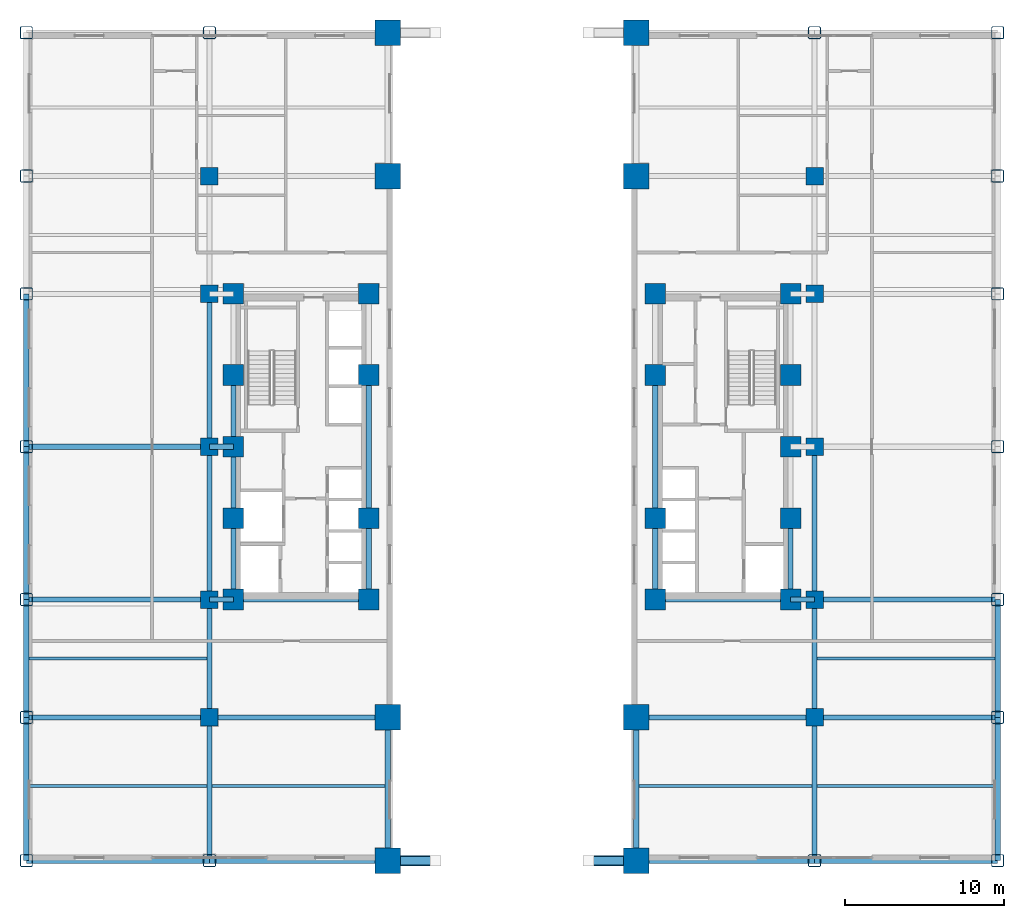
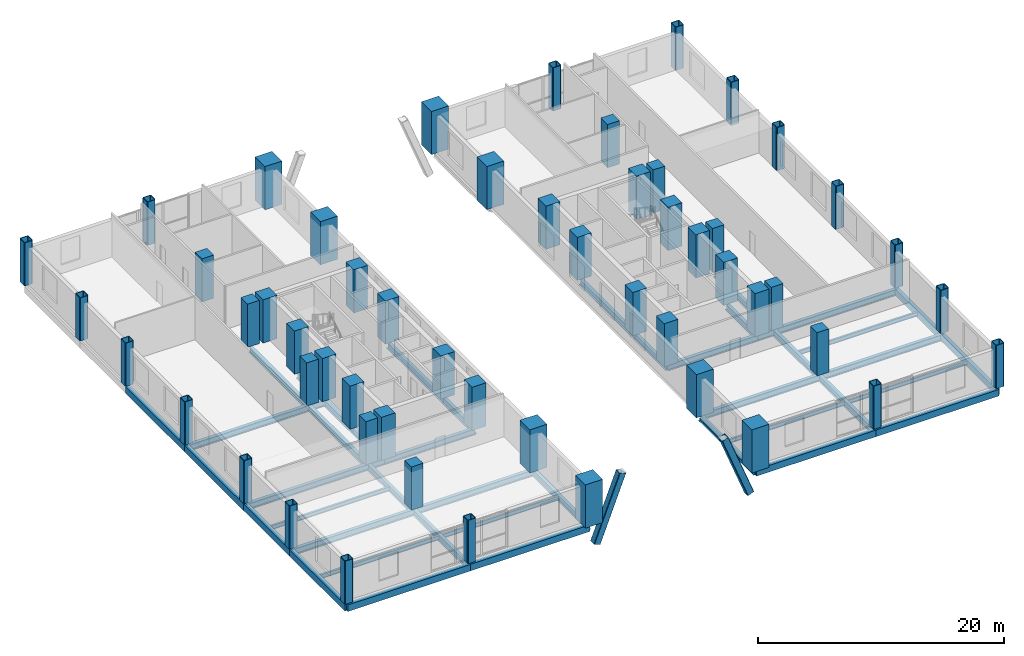
# One storey, part 1 of 15: 54 columns, 47 beams.
"""IFC4 building model written with IfcOpenShell, lengths in metres."""

from ifc_helpers import new_model, si_unit, direction, frame, origin, origin_2d, place, context, subcontext, project, spatial, rectangle, hollow_rectangle, i_section, extrude, material, material_profile, profile_set, type_object, element, save


model = new_model("IFC4")

# Units and contexts
model_context = context("Model", 3, precision=1e-05, world=origin(), true_north=direction((0.0, 1.0)))
body_context = subcontext(model_context, "Body", "Model", "MODEL_VIEW")
ifc_project = project(units=[si_unit("LENGTHUNIT", "METRE"), si_unit("AREAUNIT", "SQUARE_METRE"), si_unit("VOLUMEUNIT", "CUBIC_METRE"), si_unit("PLANEANGLEUNIT", "RADIAN"), si_unit("MASSUNIT", "GRAM", prefix="KILO")], contexts=[model_context])

# Site, building, storey
site_placement = place(None, origin())
site = spatial("IfcSite", under=ifc_project, at=site_placement, CompositionType="ELEMENT")
building_placement = place(site_placement, origin())
building = spatial("IfcBuilding", under=site, at=building_placement, Name="Nuvemarco Arch Tower", CompositionType="ELEMENT")
storey_placement = place(building_placement, frame((0.0, 0.0, 9.199951171875)))
storey = spatial("IfcBuildingStorey", under=building, at=storey_placement, Name="L02", CompositionType="ELEMENT", Elevation=9.199951171875)

# Columns
ifc_material_1 = material(Name="Concrete C60/75", Category="concrete")
ifc_material_profile_1 = material_profile(ifc_material_1, rectangle(XDim=1.10009765625, YDim=1.10009765625, at=origin_2d()), Name="RC-COL-1100x1100")
ifc_profile_set_1 = profile_set([ifc_material_profile_1], Name="Concrete C60/75")
column_type_1 = type_object("IfcColumnType", Name="COL-CORE-1100", PredefinedType="COLUMN", material=ifc_profile_set_1)
for number, where, z_axis, x_axis, name in (
    (1, (-19.0, -17.0, 0.0), (0.0, 0.0, 1.0), (1.0, 0.0, 0.0), "L02 column CP_-19.0_-17.0"),
    (2, (-19.0, -9.60009765625, 0.0), (0.0, 0.0, 1.0), (1.0, 0.0, 0.0), "L02 column CP_-19.0_-9.6"),
    (3, (-19.0, 0.0, 0.0), (0.0, 0.0, 1.0), (1.0, 0.0, 0.0), "L02 column CP_-19.0_+0.0"),
    (4, (-19.0, 9.60009765625, 0.0), (0.0, 0.0, 1.0), (1.0, 0.0, 0.0), "L02 column CP_-19.0_+9.6"),
    (5, (-19.0, 17.0, 0.0), (0.0, 0.0, 1.0), (1.0, 0.0, 0.0), "L02 column CP_-19.0_+17.0"),
    (6, (19.0, -17.0, 0.0), (0.0, 0.0, 1.0), (1.0, 0.0, 0.0), "L02 column CP_+19.0_-17.0"),
    (7, (19.0, -9.60009765625, 0.0), (0.0, 0.0, 1.0), (1.0, 0.0, 0.0), "L02 column CP_+19.0_-9.6"),
    (8, (19.0, 0.0, 0.0), (0.0, 0.0, 1.0), (1.0, 0.0, 0.0), "L02 column CP_+19.0_+0.0"),
    (9, (19.0, 9.60009765625, 0.0), (0.0, 0.0, 1.0), (1.0, 0.0, 0.0), "L02 column CP_+19.0_+9.6"),
    (10, (19.0, 17.0, 0.0), (0.0, 0.0, 1.0), (1.0, 0.0, 0.0), "L02 column CP_+19.0_+17.0"),
):
    element("IfcColumn", number, at=place(storey_placement, frame(where, z_axis=z_axis, x_axis=x_axis)), inside=storey, type_object=column_type_1, Name=name, PredefinedType="COLUMN", context=body_context, shape_type="SweptSolid", body=[
        extrude(rectangle(XDim=1.10009765625, YDim=1.10009765625, at=origin_2d()), origin(), (0.0, 0.0, 1.0), 4.280029296875),
    ])
ifc_material_profile_2 = material_profile(ifc_material_1, rectangle(XDim=1.300048828125, YDim=1.300048828125, at=origin_2d()), Name="RC-COL-1300x1300")
ifc_profile_set_2 = profile_set([ifc_material_profile_2], Name="Concrete C60/75")
column_type_2 = type_object("IfcColumnType", Name="COL-CORE-1300", PredefinedType="COLUMN", material=ifc_profile_set_2)
for number, where, z_axis, x_axis, name in (
    (11, (-17.5, -9.60009765625, 0.0), (0.0, 0.0, 1.0), (1.0, 0.0, 0.0), "L02 column CC_-17.5_-9.6"),
    (12, (-17.5, -4.5, 0.0), (0.0, 0.0, 1.0), (1.0, 0.0, 0.0), "L02 column CC_-17.5_-4.5"),
    (13, (-17.5, 4.5, 0.0), (0.0, 0.0, 1.0), (1.0, 0.0, 0.0), "L02 column CC_-17.5_+4.5"),
    (14, (-17.5, 9.60009765625, 0.0), (0.0, 0.0, 1.0), (1.0, 0.0, 0.0), "L02 column CC_-17.5_+9.6"),
    (15, (-9.0, -9.60009765625, 0.0), (0.0, 0.0, 1.0), (1.0, 0.0, 0.0), "L02 column CC_-9.0_-9.6"),
    (16, (-9.0, -4.5, 0.0), (0.0, 0.0, 1.0), (1.0, 0.0, 0.0), "L02 column CC_-9.0_-4.5"),
    (17, (-9.0, 4.5, 0.0), (0.0, 0.0, 1.0), (1.0, 0.0, 0.0), "L02 column CC_-9.0_+4.5"),
    (18, (-9.0, 9.60009765625, 0.0), (0.0, 0.0, 1.0), (1.0, 0.0, 0.0), "L02 column CC_-9.0_+9.6"),
    (19, (9.0, -9.60009765625, 0.0), (0.0, 0.0, 1.0), (1.0, 0.0, 0.0), "L02 column CC_+9.0_-9.6"),
    (20, (9.0, -4.5, 0.0), (0.0, 0.0, 1.0), (1.0, 0.0, 0.0), "L02 column CC_+9.0_-4.5"),
    (21, (9.0, 4.5, 0.0), (0.0, 0.0, 1.0), (1.0, 0.0, 0.0), "L02 column CC_+9.0_+4.5"),
    (22, (9.0, 9.60009765625, 0.0), (0.0, 0.0, 1.0), (1.0, 0.0, 0.0), "L02 column CC_+9.0_+9.6"),
    (23, (17.5, -9.60009765625, 0.0), (0.0, 0.0, 1.0), (1.0, 0.0, 0.0), "L02 column CC_+17.5_-9.6"),
    (24, (17.5, -4.5, 0.0), (0.0, 0.0, 1.0), (1.0, 0.0, 0.0), "L02 column CC_+17.5_-4.5"),
    (25, (17.5, 4.5, 0.0), (0.0, 0.0, 1.0), (1.0, 0.0, 0.0), "L02 column CC_+17.5_+4.5"),
    (26, (17.5, 9.60009765625, 0.0), (0.0, 0.0, 1.0), (1.0, 0.0, 0.0), "L02 column CC_+17.5_+9.6"),
    (27, (-17.5, 0.0, 0.0), (0.0, 0.0, 1.0), (1.0, 0.0, 0.0), "L02 column CC_-17.5_+0.0"),
    (28, (17.5, 0.0, 0.0), (0.0, 0.0, 1.0), (1.0, 0.0, 0.0), "L02 column CC_+17.5_+0.0"),
):
    element("IfcColumn", number, at=place(storey_placement, frame(where, z_axis=z_axis, x_axis=x_axis)), inside=storey, type_object=column_type_2, Name=name, PredefinedType="COLUMN", context=body_context, shape_type="SweptSolid", body=[
        extrude(rectangle(XDim=1.300048828125, YDim=1.300048828125, at=origin_2d()), origin(), (0.0, 0.0, 1.0), 4.280029296875),
    ])
ifc_material_2 = material(Name="Steel S460", Category="steel")
ifc_material_profile_3 = material_profile(ifc_material_2, hollow_rectangle(XDim=0.800048828125, YDim=0.800048828125, WallThickness=0.054931640625, InnerFilletRadius=0.054931640625, OuterFilletRadius=0.110107421875, at=origin_2d()), Name="SHS800x800x55")
ifc_profile_set_3 = profile_set([ifc_material_profile_3], Name="Steel S460")
column_type_3 = type_object("IfcColumnType", Name="COL-EXO-800", PredefinedType="COLUMN", material=ifc_profile_set_3)
for number, where, z_axis, x_axis, name in (
    (29, (-30.5, -26.0, 0.0), (0.0, 0.0, 1.0), (1.0, 0.0, 0.0), "L02 column CP_-30.5_-26.0"),
    (30, (-30.5, -17.0, 0.0), (0.0, 0.0, 1.0), (1.0, 0.0, 0.0), "L02 column CP_-30.5_-17.0"),
    (31, (-30.5, -9.60009765625, 0.0), (0.0, 0.0, 1.0), (1.0, 0.0, 0.0), "L02 column CP_-30.5_-9.6"),
    (32, (-30.5, 0.0, 0.0), (0.0, 0.0, 1.0), (1.0, 0.0, 0.0), "L02 column CP_-30.5_+0.0"),
    (33, (-30.5, 9.60009765625, 0.0), (0.0, 0.0, 1.0), (1.0, 0.0, 0.0), "L02 column CP_-30.5_+9.6"),
    (34, (-30.5, 17.0, 0.0), (0.0, 0.0, 1.0), (1.0, 0.0, 0.0), "L02 column CP_-30.5_+17.0"),
    (35, (-30.5, 26.0, 0.0), (0.0, 0.0, 1.0), (1.0, 0.0, 0.0), "L02 column CP_-30.5_+26.0"),
    (36, (-19.0, -26.0, 0.0), (0.0, 0.0, 1.0), (1.0, 0.0, 0.0), "L02 column CP_-19.0_-26.0"),
    (37, (-19.0, 26.0, 0.0), (0.0, 0.0, 1.0), (1.0, 0.0, 0.0), "L02 column CP_-19.0_+26.0"),
    (38, (19.0, -26.0, 0.0), (0.0, 0.0, 1.0), (1.0, 0.0, 0.0), "L02 column CP_+19.0_-26.0"),
    (39, (19.0, 26.0, 0.0), (0.0, 0.0, 1.0), (1.0, 0.0, 0.0), "L02 column CP_+19.0_+26.0"),
    (40, (30.5, -26.0, 0.0), (0.0, 0.0, 1.0), (1.0, 0.0, 0.0), "L02 column CP_+30.5_-26.0"),
    (41, (30.5, -17.0, 0.0), (0.0, 0.0, 1.0), (1.0, 0.0, 0.0), "L02 column CP_+30.5_-17.0"),
    (42, (30.5, -9.60009765625, 0.0), (0.0, 0.0, 1.0), (1.0, 0.0, 0.0), "L02 column CP_+30.5_-9.6"),
    (43, (30.5, 0.0, 0.0), (0.0, 0.0, 1.0), (1.0, 0.0, 0.0), "L02 column CP_+30.5_+0.0"),
    (44, (30.5, 9.60009765625, 0.0), (0.0, 0.0, 1.0), (1.0, 0.0, 0.0), "L02 column CP_+30.5_+9.6"),
    (45, (30.5, 17.0, 0.0), (0.0, 0.0, 1.0), (1.0, 0.0, 0.0), "L02 column CP_+30.5_+17.0"),
    (46, (30.5, 26.0, 0.0), (0.0, 0.0, 1.0), (1.0, 0.0, 0.0), "L02 column CP_+30.5_+26.0"),
):
    element("IfcColumn", number, at=place(storey_placement, frame(where, z_axis=z_axis, x_axis=x_axis)), inside=storey, type_object=column_type_3, Name=name, PredefinedType="COLUMN", context=body_context, shape_type="SweptSolid", body=[
        extrude(hollow_rectangle(XDim=0.800048828125, YDim=0.800048828125, WallThickness=0.054931640625, InnerFilletRadius=0.054931640625, OuterFilletRadius=0.110107421875, at=origin_2d()), origin(), (0.0, 0.0, 1.0), 4.280029296875),
    ])
ifc_material_profile_4 = material_profile(ifc_material_1, rectangle(XDim=1.60009765625, YDim=1.60009765625, at=origin_2d()), Name="RC-COL-1600x1600")
ifc_profile_set_4 = profile_set([ifc_material_profile_4], Name="Concrete C60/75")
column_type_4 = type_object("IfcColumnType", Name="COL-MEGA-1600-EXT", PredefinedType="COLUMN", material=ifc_profile_set_4)
for number, where, z_axis, x_axis, name in (
    (47, (-7.800048828125, -26.0, 0.0), (0.0, 0.0, 1.0), (1.0, 0.0, 0.0), "L02 column CM_-7.8_-26.0"),
    (48, (-7.800048828125, -17.0, 0.0), (0.0, 0.0, 1.0), (1.0, 0.0, 0.0), "L02 column CM_-7.8_-17.0"),
    (49, (-7.800048828125, 17.0, 0.0), (0.0, 0.0, 1.0), (1.0, 0.0, 0.0), "L02 column CM_-7.8_+17.0"),
    (50, (-7.800048828125, 26.0, 0.0), (0.0, 0.0, 1.0), (1.0, 0.0, 0.0), "L02 column CM_-7.8_+26.0"),
    (51, (7.800048828125, -26.0, 0.0), (0.0, 0.0, 1.0), (1.0, 0.0, 0.0), "L02 column CM_+7.8_-26.0"),
    (52, (7.800048828125, -17.0, 0.0), (0.0, 0.0, 1.0), (1.0, 0.0, 0.0), "L02 column CM_+7.8_-17.0"),
    (53, (7.800048828125, 17.0, 0.0), (0.0, 0.0, 1.0), (1.0, 0.0, 0.0), "L02 column CM_+7.8_+17.0"),
    (54, (7.800048828125, 26.0, 0.0), (0.0, 0.0, 1.0), (1.0, 0.0, 0.0), "L02 column CM_+7.8_+26.0"),
):
    element("IfcColumn", number, at=place(storey_placement, frame(where, z_axis=z_axis, x_axis=x_axis)), inside=storey, type_object=column_type_4, Name=name, PredefinedType="COLUMN", context=body_context, shape_type="SweptSolid", body=[
        extrude(rectangle(XDim=1.60009765625, YDim=1.60009765625, at=origin_2d()), origin(), (0.0, 0.0, 1.0), 4.280029296875),
    ])

# Beams
ifc_material_3 = material(Name="Steel S355", Category="steel")
ifc_material_profile_5 = material_profile(ifc_material_3, hollow_rectangle(XDim=0.64990234375, YDim=0.64990234375, WallThickness=0.0400390625, InnerFilletRadius=0.0400390625, OuterFilletRadius=0.080078125, at=origin_2d()), Name="SHS650x650x40")
ifc_profile_set_5 = profile_set([ifc_material_profile_5], Name="Steel S355")
beam_type_1 = type_object("IfcBeamType", Name="BM-ARCH-RIB", PredefinedType="BEAM", material=ifc_profile_set_5)
for number, where, z_axis, x_axis, name in (
    (55, (-7.199951171875, -26.0, -2.39990234375), (0.360983800249, 0.0, 0.932572086199), (0.0, 1.0, 0.0), "Monumental portal arch rib segment S-2"),
    (56, (4.800048828125, -26.0, 3.800048828125), (0.360983800249, 0.0, -0.932572086199), (0.0, 1.0, 0.0), "Monumental portal arch rib segment S-5"),
):
    element("IfcBeam", number, at=place(storey_placement, frame(where, z_axis=z_axis, x_axis=x_axis)), inside=storey, type_object=beam_type_1, Name=name, PredefinedType="BEAM", context=body_context, shape_type="SweptSolid", body=[
        extrude(hollow_rectangle(XDim=0.64990234375, YDim=0.64990234375, WallThickness=0.0400390625, InnerFilletRadius=0.0400390625, OuterFilletRadius=0.080078125, at=origin_2d()), origin(), (0.0, 0.0, 1.0), 6.648193359375),
    ])
ifc_material_profile_6 = material_profile(ifc_material_3, i_section(OverallWidth=0.324951171875, OverallDepth=0.615966796875, WebThickness=0.013916015625, FlangeThickness=0.021484375, FilletRadius=0.01611328125, at=origin_2d()), Name="W610x174")
ifc_profile_set_6 = profile_set([ifc_material_profile_6], Name="Steel S355")
beam_type_2 = type_object("IfcBeamType", Name="BM-GIRD-610H", PredefinedType="BEAM", material=ifc_profile_set_6)
beam_1_placement = place(storey_placement, frame((-19.0, -26.0, -0.6279296875), z_axis=(0.0, 1.0, 0.0), x_axis=(-1.0, 0.0, 0.0)))
element("IfcBeam", 57, at=beam_1_placement, inside=storey, type_object=beam_type_2, Name="L02 structural beam BGNS_L02_0_-19.0_-26.0", PredefinedType="BEAM", context=body_context, shape_type="SweptSolid", body=[
    extrude(i_section(OverallWidth=0.324951171875, OverallDepth=0.615966796875, WebThickness=0.013916015625, FlangeThickness=0.021484375, FilletRadius=0.01611328125, at=origin_2d()), origin(), (0.0, 0.0, 1.0), 9.0),
])
beam_2_placement = place(storey_placement, frame((-19.0, -17.0, -0.6279296875), z_axis=(0.0, 1.0, 0.0), x_axis=(-1.0, 0.0, 0.0)))
element("IfcBeam", 58, at=beam_2_placement, inside=storey, type_object=beam_type_2, Name="L02 structural beam BGNS_L02_0_-19.0_-17.0", PredefinedType="BEAM", context=body_context, shape_type="SweptSolid", body=[
    extrude(i_section(OverallWidth=0.324951171875, OverallDepth=0.615966796875, WebThickness=0.013916015625, FlangeThickness=0.021484375, FilletRadius=0.01611328125, at=origin_2d()), origin(), (0.0, 0.0, 1.0), 7.39990234375),
])
for number, where, z_axis, x_axis, name in (
    (59, (-19.0, -9.60009765625, -0.6279296875), (0.0, 1.0, 0.0), (-1.0, 0.0, 0.0), "L02 structural beam BGNS_L02_0_-19.0_-9.6"),
    (60, (-19.0, 0.0, -0.6279296875), (0.0, 1.0, 0.0), (-1.0, 0.0, 0.0), "L02 structural beam BGNS_L02_0_-19.0_+0.0"),
):
    element("IfcBeam", number, at=place(storey_placement, frame(where, z_axis=z_axis, x_axis=x_axis)), inside=storey, type_object=beam_type_2, Name=name, PredefinedType="BEAM", context=body_context, shape_type="SweptSolid", body=[
        extrude(i_section(OverallWidth=0.324951171875, OverallDepth=0.615966796875, WebThickness=0.013916015625, FlangeThickness=0.021484375, FilletRadius=0.01611328125, at=origin_2d()), origin(), (0.0, 0.0, 1.0), 9.60009765625),
    ])
beam_3_placement = place(storey_placement, frame((-17.5, -9.60009765625, -0.6279296875), z_axis=(0.0, 1.0, 0.0), x_axis=(-1.0, 0.0, 0.0)))
element("IfcBeam", 61, at=beam_3_placement, inside=storey, type_object=beam_type_2, Name="L02 structural beam BGNS_L02_0_-17.5_-9.6", PredefinedType="BEAM", context=body_context, shape_type="SweptSolid", body=[
    extrude(i_section(OverallWidth=0.324951171875, OverallDepth=0.615966796875, WebThickness=0.013916015625, FlangeThickness=0.021484375, FilletRadius=0.01611328125, at=origin_2d()), origin(), (0.0, 0.0, 1.0), 5.10009765625),
])
for number, where, z_axis, x_axis, name in (
    (62, (-17.5, -4.5, -0.6279296875), (0.0, 1.0, 0.0), (-1.0, 0.0, 0.0), "L02 structural beam BGNS_L02_0_-17.5_-4.5"),
    (63, (-17.5, 0.0, -0.6279296875), (0.0, 1.0, 0.0), (-1.0, 0.0, 0.0), "L02 structural beam BGNS_L02_0_-17.5_+0.0"),
):
    element("IfcBeam", number, at=place(storey_placement, frame(where, z_axis=z_axis, x_axis=x_axis)), inside=storey, type_object=beam_type_2, Name=name, PredefinedType="BEAM", context=body_context, shape_type="SweptSolid", body=[
        extrude(i_section(OverallWidth=0.324951171875, OverallDepth=0.615966796875, WebThickness=0.013916015625, FlangeThickness=0.021484375, FilletRadius=0.01611328125, at=origin_2d()), origin(), (0.0, 0.0, 1.0), 4.5),
    ])
beam_4_placement = place(storey_placement, frame((-9.0, -9.60009765625, -0.6279296875), z_axis=(0.0, 1.0, 0.0), x_axis=(-1.0, 0.0, 0.0)))
element("IfcBeam", 64, at=beam_4_placement, inside=storey, type_object=beam_type_2, Name="L02 structural beam BGNS_L02_0_-9.0_-9.6", PredefinedType="BEAM", context=body_context, shape_type="SweptSolid", body=[
    extrude(i_section(OverallWidth=0.324951171875, OverallDepth=0.615966796875, WebThickness=0.013916015625, FlangeThickness=0.021484375, FilletRadius=0.01611328125, at=origin_2d()), origin(), (0.0, 0.0, 1.0), 5.10009765625),
])
for number, where, z_axis, x_axis, name in (
    (65, (-9.0, -4.5, -0.6279296875), (0.0, 1.0, 0.0), (-1.0, 0.0, 0.0), "L02 structural beam BGNS_L02_0_-9.0_-4.5"),
    (66, (-7.800048828125, -26.0, -0.6279296875), (0.0, 1.0, 0.0), (-1.0, 0.0, 0.0), "L02 structural beam BGNS_L02_0_-7.8_-26.0"),
):
    element("IfcBeam", number, at=place(storey_placement, frame(where, z_axis=z_axis, x_axis=x_axis)), inside=storey, type_object=beam_type_2, Name=name, PredefinedType="BEAM", context=body_context, shape_type="SweptSolid", body=[
        extrude(i_section(OverallWidth=0.324951171875, OverallDepth=0.615966796875, WebThickness=0.013916015625, FlangeThickness=0.021484375, FilletRadius=0.01611328125, at=origin_2d()), origin(), (0.0, 0.0, 1.0), 9.0),
    ])
beam_5_placement = place(storey_placement, frame((-30.5, -17.0, -0.6279296875), z_axis=(1.0, 0.0, 0.0), x_axis=(0.0, 1.0, 0.0)))
element("IfcBeam", 67, at=beam_5_placement, inside=storey, type_object=beam_type_2, Name="L02 structural beam BGEW_L02_0_-17.0_-30.5", PredefinedType="BEAM", context=body_context, shape_type="SweptSolid", body=[
    extrude(i_section(OverallWidth=0.324951171875, OverallDepth=0.615966796875, WebThickness=0.013916015625, FlangeThickness=0.021484375, FilletRadius=0.01611328125, at=origin_2d()), origin(), (0.0, 0.0, 1.0), 11.5),
])
beam_6_placement = place(storey_placement, frame((-19.0, -17.0, -0.6279296875), z_axis=(1.0, 0.0, 0.0), x_axis=(0.0, 1.0, 0.0)))
element("IfcBeam", 68, at=beam_6_placement, inside=storey, type_object=beam_type_2, Name="L02 structural beam BGEW_L02_0_-17.0_-19.0", PredefinedType="BEAM", context=body_context, shape_type="SweptSolid", body=[
    extrude(i_section(OverallWidth=0.324951171875, OverallDepth=0.615966796875, WebThickness=0.013916015625, FlangeThickness=0.021484375, FilletRadius=0.01611328125, at=origin_2d()), origin(), (0.0, 0.0, 1.0), 11.199951171875),
])
beam_7_placement = place(storey_placement, frame((-30.5, -9.60009765625, -0.6279296875), z_axis=(1.0, 0.0, 0.0), x_axis=(0.0, 1.0, 0.0)))
element("IfcBeam", 69, at=beam_7_placement, inside=storey, type_object=beam_type_2, Name="L02 structural beam BGEW_L02_0_-9.6_-30.5", PredefinedType="BEAM", context=body_context, shape_type="SweptSolid", body=[
    extrude(i_section(OverallWidth=0.324951171875, OverallDepth=0.615966796875, WebThickness=0.013916015625, FlangeThickness=0.021484375, FilletRadius=0.01611328125, at=origin_2d()), origin(), (0.0, 0.0, 1.0), 11.5),
])
beam_8_placement = place(storey_placement, frame((-19.0, -9.60009765625, -0.6279296875), z_axis=(1.0, 0.0, 0.0), x_axis=(0.0, 1.0, 0.0)))
element("IfcBeam", 70, at=beam_8_placement, inside=storey, type_object=beam_type_2, Name="L02 structural beam BGEW_L02_0_-9.6_-19.0", PredefinedType="BEAM", context=body_context, shape_type="SweptSolid", body=[
    extrude(i_section(OverallWidth=0.324951171875, OverallDepth=0.615966796875, WebThickness=0.013916015625, FlangeThickness=0.021484375, FilletRadius=0.01611328125, at=origin_2d()), origin(), (0.0, 0.0, 1.0), 1.5),
])
beam_9_placement = place(storey_placement, frame((-17.5, -9.60009765625, -0.6279296875), z_axis=(1.0, 0.0, 0.0), x_axis=(0.0, 1.0, 0.0)))
element("IfcBeam", 71, at=beam_9_placement, inside=storey, type_object=beam_type_2, Name="L02 structural beam BGEW_L02_0_-9.6_-17.5", PredefinedType="BEAM", context=body_context, shape_type="SweptSolid", body=[
    extrude(i_section(OverallWidth=0.324951171875, OverallDepth=0.615966796875, WebThickness=0.013916015625, FlangeThickness=0.021484375, FilletRadius=0.01611328125, at=origin_2d()), origin(), (0.0, 0.0, 1.0), 8.5),
])
beam_10_placement = place(storey_placement, frame((-30.5, 0.0, -0.6279296875), z_axis=(1.0, 0.0, 0.0), x_axis=(0.0, 1.0, 0.0)))
element("IfcBeam", 72, at=beam_10_placement, inside=storey, type_object=beam_type_2, Name="L02 structural beam BGEW_L02_0_+0.0_-30.5", PredefinedType="BEAM", context=body_context, shape_type="SweptSolid", body=[
    extrude(i_section(OverallWidth=0.324951171875, OverallDepth=0.615966796875, WebThickness=0.013916015625, FlangeThickness=0.021484375, FilletRadius=0.01611328125, at=origin_2d()), origin(), (0.0, 0.0, 1.0), 11.5),
])
beam_11_placement = place(storey_placement, frame((-19.0, 0.0, -0.6279296875), z_axis=(1.0, 0.0, 0.0), x_axis=(0.0, 1.0, 0.0)))
element("IfcBeam", 73, at=beam_11_placement, inside=storey, type_object=beam_type_2, Name="L02 structural beam BGEW_L02_0_+0.0_-19.0", PredefinedType="BEAM", context=body_context, shape_type="SweptSolid", body=[
    extrude(i_section(OverallWidth=0.324951171875, OverallDepth=0.615966796875, WebThickness=0.013916015625, FlangeThickness=0.021484375, FilletRadius=0.01611328125, at=origin_2d()), origin(), (0.0, 0.0, 1.0), 1.5),
])
beam_12_placement = place(storey_placement, frame((7.800048828125, -26.0, -0.6279296875), z_axis=(0.0, 1.0, 0.0), x_axis=(-1.0, 0.0, 0.0)))
element("IfcBeam", 74, at=beam_12_placement, inside=storey, type_object=beam_type_2, Name="L02 structural beam BGNS_L02_1_+7.8_-26.0", PredefinedType="BEAM", context=body_context, shape_type="SweptSolid", body=[
    extrude(i_section(OverallWidth=0.324951171875, OverallDepth=0.615966796875, WebThickness=0.013916015625, FlangeThickness=0.021484375, FilletRadius=0.01611328125, at=origin_2d()), origin(), (0.0, 0.0, 1.0), 9.0),
])
beam_13_placement = place(storey_placement, frame((9.0, -9.60009765625, -0.6279296875), z_axis=(0.0, 1.0, 0.0), x_axis=(-1.0, 0.0, 0.0)))
element("IfcBeam", 75, at=beam_13_placement, inside=storey, type_object=beam_type_2, Name="L02 structural beam BGNS_L02_1_+9.0_-9.6", PredefinedType="BEAM", context=body_context, shape_type="SweptSolid", body=[
    extrude(i_section(OverallWidth=0.324951171875, OverallDepth=0.615966796875, WebThickness=0.013916015625, FlangeThickness=0.021484375, FilletRadius=0.01611328125, at=origin_2d()), origin(), (0.0, 0.0, 1.0), 5.10009765625),
])
beam_14_placement = place(storey_placement, frame((9.0, -4.5, -0.6279296875), z_axis=(0.0, 1.0, 0.0), x_axis=(-1.0, 0.0, 0.0)))
element("IfcBeam", 76, at=beam_14_placement, inside=storey, type_object=beam_type_2, Name="L02 structural beam BGNS_L02_1_+9.0_-4.5", PredefinedType="BEAM", context=body_context, shape_type="SweptSolid", body=[
    extrude(i_section(OverallWidth=0.324951171875, OverallDepth=0.615966796875, WebThickness=0.013916015625, FlangeThickness=0.021484375, FilletRadius=0.01611328125, at=origin_2d()), origin(), (0.0, 0.0, 1.0), 9.0),
])
beam_15_placement = place(storey_placement, frame((17.5, -9.60009765625, -0.6279296875), z_axis=(0.0, 1.0, 0.0), x_axis=(-1.0, 0.0, 0.0)))
element("IfcBeam", 77, at=beam_15_placement, inside=storey, type_object=beam_type_2, Name="L02 structural beam BGNS_L02_1_+17.5_-9.6", PredefinedType="BEAM", context=body_context, shape_type="SweptSolid", body=[
    extrude(i_section(OverallWidth=0.324951171875, OverallDepth=0.615966796875, WebThickness=0.013916015625, FlangeThickness=0.021484375, FilletRadius=0.01611328125, at=origin_2d()), origin(), (0.0, 0.0, 1.0), 5.10009765625),
])
beam_16_placement = place(storey_placement, frame((19.0, -26.0, -0.6279296875), z_axis=(0.0, 1.0, 0.0), x_axis=(-1.0, 0.0, 0.0)))
element("IfcBeam", 78, at=beam_16_placement, inside=storey, type_object=beam_type_2, Name="L02 structural beam BGNS_L02_1_+19.0_-26.0", PredefinedType="BEAM", context=body_context, shape_type="SweptSolid", body=[
    extrude(i_section(OverallWidth=0.324951171875, OverallDepth=0.615966796875, WebThickness=0.013916015625, FlangeThickness=0.021484375, FilletRadius=0.01611328125, at=origin_2d()), origin(), (0.0, 0.0, 1.0), 9.0),
])
beam_17_placement = place(storey_placement, frame((19.0, -17.0, -0.6279296875), z_axis=(0.0, 1.0, 0.0), x_axis=(-1.0, 0.0, 0.0)))
element("IfcBeam", 79, at=beam_17_placement, inside=storey, type_object=beam_type_2, Name="L02 structural beam BGNS_L02_1_+19.0_-17.0", PredefinedType="BEAM", context=body_context, shape_type="SweptSolid", body=[
    extrude(i_section(OverallWidth=0.324951171875, OverallDepth=0.615966796875, WebThickness=0.013916015625, FlangeThickness=0.021484375, FilletRadius=0.01611328125, at=origin_2d()), origin(), (0.0, 0.0, 1.0), 7.39990234375),
])
beam_18_placement = place(storey_placement, frame((19.0, -9.60009765625, -0.6279296875), z_axis=(0.0, 1.0, 0.0), x_axis=(-1.0, 0.0, 0.0)))
element("IfcBeam", 80, at=beam_18_placement, inside=storey, type_object=beam_type_2, Name="L02 structural beam BGNS_L02_1_+19.0_-9.6", PredefinedType="BEAM", context=body_context, shape_type="SweptSolid", body=[
    extrude(i_section(OverallWidth=0.324951171875, OverallDepth=0.615966796875, WebThickness=0.013916015625, FlangeThickness=0.021484375, FilletRadius=0.01611328125, at=origin_2d()), origin(), (0.0, 0.0, 1.0), 9.60009765625),
])
beam_19_placement = place(storey_placement, frame((7.800048828125, -17.0, -0.6279296875), z_axis=(1.0, 0.0, 0.0), x_axis=(0.0, 1.0, 0.0)))
element("IfcBeam", 81, at=beam_19_placement, inside=storey, type_object=beam_type_2, Name="L02 structural beam BGEW_L02_1_-17.0_+7.8", PredefinedType="BEAM", context=body_context, shape_type="SweptSolid", body=[
    extrude(i_section(OverallWidth=0.324951171875, OverallDepth=0.615966796875, WebThickness=0.013916015625, FlangeThickness=0.021484375, FilletRadius=0.01611328125, at=origin_2d()), origin(), (0.0, 0.0, 1.0), 11.199951171875),
])
beam_20_placement = place(storey_placement, frame((19.0, -17.0, -0.6279296875), z_axis=(1.0, 0.0, 0.0), x_axis=(0.0, 1.0, 0.0)))
element("IfcBeam", 82, at=beam_20_placement, inside=storey, type_object=beam_type_2, Name="L02 structural beam BGEW_L02_1_-17.0_+19.0", PredefinedType="BEAM", context=body_context, shape_type="SweptSolid", body=[
    extrude(i_section(OverallWidth=0.324951171875, OverallDepth=0.615966796875, WebThickness=0.013916015625, FlangeThickness=0.021484375, FilletRadius=0.01611328125, at=origin_2d()), origin(), (0.0, 0.0, 1.0), 11.5),
])
beam_21_placement = place(storey_placement, frame((9.0, -9.60009765625, -0.6279296875), z_axis=(1.0, 0.0, 0.0), x_axis=(0.0, 1.0, 0.0)))
element("IfcBeam", 83, at=beam_21_placement, inside=storey, type_object=beam_type_2, Name="L02 structural beam BGEW_L02_1_-9.6_+9.0", PredefinedType="BEAM", context=body_context, shape_type="SweptSolid", body=[
    extrude(i_section(OverallWidth=0.324951171875, OverallDepth=0.615966796875, WebThickness=0.013916015625, FlangeThickness=0.021484375, FilletRadius=0.01611328125, at=origin_2d()), origin(), (0.0, 0.0, 1.0), 8.5),
])
beam_22_placement = place(storey_placement, frame((17.5, -9.60009765625, -0.6279296875), z_axis=(1.0, 0.0, 0.0), x_axis=(0.0, 1.0, 0.0)))
element("IfcBeam", 84, at=beam_22_placement, inside=storey, type_object=beam_type_2, Name="L02 structural beam BGEW_L02_1_-9.6_+17.5", PredefinedType="BEAM", context=body_context, shape_type="SweptSolid", body=[
    extrude(i_section(OverallWidth=0.324951171875, OverallDepth=0.615966796875, WebThickness=0.013916015625, FlangeThickness=0.021484375, FilletRadius=0.01611328125, at=origin_2d()), origin(), (0.0, 0.0, 1.0), 1.5),
])
beam_23_placement = place(storey_placement, frame((19.0, -9.60009765625, -0.6279296875), z_axis=(1.0, 0.0, 0.0), x_axis=(0.0, 1.0, 0.0)))
element("IfcBeam", 85, at=beam_23_placement, inside=storey, type_object=beam_type_2, Name="L02 structural beam BGEW_L02_1_-9.6_+19.0", PredefinedType="BEAM", context=body_context, shape_type="SweptSolid", body=[
    extrude(i_section(OverallWidth=0.324951171875, OverallDepth=0.615966796875, WebThickness=0.013916015625, FlangeThickness=0.021484375, FilletRadius=0.01611328125, at=origin_2d()), origin(), (0.0, 0.0, 1.0), 11.5),
])
ifc_material_profile_7 = material_profile(ifc_material_3, i_section(OverallWidth=0.179931640625, OverallDepth=0.4130859375, WebThickness=0.009765625, FlangeThickness=0.01611328125, FilletRadius=0.014892578125, at=origin_2d()), Name="W410x75")
ifc_profile_set_7 = profile_set([ifc_material_profile_7], Name="Steel S355")
beam_type_3 = type_object("IfcBeamType", Name="BM-JOIST-410", PredefinedType="JOIST", material=ifc_profile_set_7)
beam_24_placement = place(storey_placement, frame((-30.324951171875, -21.300048828125, -0.5263671875), z_axis=(1.0, 0.0, 0.0), x_axis=(0.0, 1.0, 0.0)))
element("IfcBeam", 86, at=beam_24_placement, inside=storey, type_object=beam_type_3, Name="L02 structural beam BJ_L02_0_-21.3_-30.5", PredefinedType="JOIST", context=body_context, shape_type="SweptSolid", body=[
    extrude(i_section(OverallWidth=0.179931640625, OverallDepth=0.4130859375, WebThickness=0.009765625, FlangeThickness=0.01611328125, FilletRadius=0.014892578125, at=origin_2d()), origin(), (0.0, 0.0, 1.0), 11.162353515625),
])
beam_25_placement = place(storey_placement, frame((-18.83740234375, -21.300048828125, -0.5263671875), z_axis=(1.0, 0.0, 0.0), x_axis=(0.0, 1.0, 0.0)))
element("IfcBeam", 87, at=beam_25_placement, inside=storey, type_object=beam_type_3, Name="L02 structural beam BJ_L02_0_-21.3_-19.0", PredefinedType="JOIST", context=body_context, shape_type="SweptSolid", body=[
    extrude(i_section(OverallWidth=0.179931640625, OverallDepth=0.4130859375, WebThickness=0.009765625, FlangeThickness=0.01611328125, FilletRadius=0.014892578125, at=origin_2d()), origin(), (0.0, 0.0, 1.0), 10.875),
])
beam_26_placement = place(storey_placement, frame((-30.324951171875, -13.300048828125, -0.5263671875), z_axis=(1.0, 0.0, 0.0), x_axis=(0.0, 1.0, 0.0)))
element("IfcBeam", 88, at=beam_26_placement, inside=storey, type_object=beam_type_3, Name="L02 structural beam BJ_L02_0_-13.3_-30.5", PredefinedType="JOIST", context=body_context, shape_type="SweptSolid", body=[
    extrude(i_section(OverallWidth=0.179931640625, OverallDepth=0.4130859375, WebThickness=0.009765625, FlangeThickness=0.01611328125, FilletRadius=0.014892578125, at=origin_2d()), origin(), (0.0, 0.0, 1.0), 11.162353515625),
])
beam_27_placement = place(storey_placement, frame((7.96240234375, -21.300048828125, -0.5263671875), z_axis=(1.0, 0.0, 0.0), x_axis=(0.0, 1.0, 0.0)))
element("IfcBeam", 89, at=beam_27_placement, inside=storey, type_object=beam_type_3, Name="L02 structural beam BJ_L02_1_-21.3_+7.8", PredefinedType="JOIST", context=body_context, shape_type="SweptSolid", body=[
    extrude(i_section(OverallWidth=0.179931640625, OverallDepth=0.4130859375, WebThickness=0.009765625, FlangeThickness=0.01611328125, FilletRadius=0.014892578125, at=origin_2d()), origin(), (0.0, 0.0, 1.0), 10.875),
])
for number, where, z_axis, x_axis, name in (
    (90, (19.16259765625, -21.300048828125, -0.5263671875), (1.0, 0.0, 0.0), (0.0, 1.0, 0.0), "L02 structural beam BJ_L02_1_-21.3_+19.0"),
    (91, (19.16259765625, -13.300048828125, -0.5263671875), (1.0, 0.0, 0.0), (0.0, 1.0, 0.0), "L02 structural beam BJ_L02_1_-13.3_+19.0"),
):
    element("IfcBeam", number, at=place(storey_placement, frame(where, z_axis=z_axis, x_axis=x_axis)), inside=storey, type_object=beam_type_3, Name=name, PredefinedType="JOIST", context=body_context, shape_type="SweptSolid", body=[
        extrude(i_section(OverallWidth=0.179931640625, OverallDepth=0.4130859375, WebThickness=0.009765625, FlangeThickness=0.01611328125, FilletRadius=0.014892578125, at=origin_2d()), origin(), (0.0, 0.0, 1.0), 11.162353515625),
    ])
ifc_material_4 = material(Name="Precast concrete C45/55", Category="concrete")
ifc_material_profile_8 = material_profile(ifc_material_4, rectangle(XDim=0.35009765625, YDim=0.64990234375, at=origin_2d()), Name="PC-SP-350x650")
ifc_profile_set_8 = profile_set([ifc_material_profile_8], Name="Precast concrete C45/55")
beam_type_4 = type_object("IfcBeamType", Name="BM-SPAN-RC", PredefinedType="SPANDREL", material=ifc_profile_set_8)
beam_28_placement = place(storey_placement, frame((-30.5, -26.0, -0.64501953125), z_axis=(0.0, 1.0, 0.0), x_axis=(-1.0, 0.0, 0.0)))
element("IfcBeam", 92, at=beam_28_placement, inside=storey, type_object=beam_type_4, Name="L02 structural beam BGNS_L02_0_-30.5_-26.0", PredefinedType="SPANDREL", context=body_context, shape_type="SweptSolid", body=[
    extrude(rectangle(XDim=0.35009765625, YDim=0.64990234375, at=origin_2d()), origin(), (0.0, 0.0, 1.0), 9.0),
])
beam_29_placement = place(storey_placement, frame((-30.5, -17.0, -0.64501953125), z_axis=(0.0, 1.0, 0.0), x_axis=(-1.0, 0.0, 0.0)))
element("IfcBeam", 93, at=beam_29_placement, inside=storey, type_object=beam_type_4, Name="L02 structural beam BGNS_L02_0_-30.5_-17.0", PredefinedType="SPANDREL", context=body_context, shape_type="SweptSolid", body=[
    extrude(rectangle(XDim=0.35009765625, YDim=0.64990234375, at=origin_2d()), origin(), (0.0, 0.0, 1.0), 7.39990234375),
])
for number, where, z_axis, x_axis, name in (
    (94, (-30.5, -9.60009765625, -0.64501953125), (0.0, 1.0, 0.0), (-1.0, 0.0, 0.0), "L02 structural beam BGNS_L02_0_-30.5_-9.6"),
    (95, (-30.5, 0.0, -0.64501953125), (0.0, 1.0, 0.0), (-1.0, 0.0, 0.0), "L02 structural beam BGNS_L02_0_-30.5_+0.0"),
):
    element("IfcBeam", number, at=place(storey_placement, frame(where, z_axis=z_axis, x_axis=x_axis)), inside=storey, type_object=beam_type_4, Name=name, PredefinedType="SPANDREL", context=body_context, shape_type="SweptSolid", body=[
        extrude(rectangle(XDim=0.35009765625, YDim=0.64990234375, at=origin_2d()), origin(), (0.0, 0.0, 1.0), 9.60009765625),
    ])
beam_30_placement = place(storey_placement, frame((-30.5, -26.0, -0.64501953125), z_axis=(1.0, 0.0, 0.0), x_axis=(0.0, 1.0, 0.0)))
element("IfcBeam", 96, at=beam_30_placement, inside=storey, type_object=beam_type_4, Name="L02 structural beam BGEW_L02_0_-26.0_-30.5", PredefinedType="SPANDREL", context=body_context, shape_type="SweptSolid", body=[
    extrude(rectangle(XDim=0.35009765625, YDim=0.64990234375, at=origin_2d()), origin(), (0.0, 0.0, 1.0), 11.5),
])
beam_31_placement = place(storey_placement, frame((-19.0, -26.0, -0.64501953125), z_axis=(1.0, 0.0, 0.0), x_axis=(0.0, 1.0, 0.0)))
element("IfcBeam", 97, at=beam_31_placement, inside=storey, type_object=beam_type_4, Name="L02 structural beam BGEW_L02_0_-26.0_-19.0", PredefinedType="SPANDREL", context=body_context, shape_type="SweptSolid", body=[
    extrude(rectangle(XDim=0.35009765625, YDim=0.64990234375, at=origin_2d()), origin(), (0.0, 0.0, 1.0), 11.199951171875),
])
beam_32_placement = place(storey_placement, frame((30.5, -26.0, -0.64501953125), z_axis=(0.0, 1.0, 0.0), x_axis=(-1.0, 0.0, 0.0)))
element("IfcBeam", 98, at=beam_32_placement, inside=storey, type_object=beam_type_4, Name="L02 structural beam BGNS_L02_1_+30.5_-26.0", PredefinedType="SPANDREL", context=body_context, shape_type="SweptSolid", body=[
    extrude(rectangle(XDim=0.35009765625, YDim=0.64990234375, at=origin_2d()), origin(), (0.0, 0.0, 1.0), 9.0),
])
beam_33_placement = place(storey_placement, frame((30.5, -17.0, -0.64501953125), z_axis=(0.0, 1.0, 0.0), x_axis=(-1.0, 0.0, 0.0)))
element("IfcBeam", 99, at=beam_33_placement, inside=storey, type_object=beam_type_4, Name="L02 structural beam BGNS_L02_1_+30.5_-17.0", PredefinedType="SPANDREL", context=body_context, shape_type="SweptSolid", body=[
    extrude(rectangle(XDim=0.35009765625, YDim=0.64990234375, at=origin_2d()), origin(), (0.0, 0.0, 1.0), 7.39990234375),
])
beam_34_placement = place(storey_placement, frame((7.800048828125, -26.0, -0.64501953125), z_axis=(1.0, 0.0, 0.0), x_axis=(0.0, 1.0, 0.0)))
element("IfcBeam", 100, at=beam_34_placement, inside=storey, type_object=beam_type_4, Name="L02 structural beam BGEW_L02_1_-26.0_+7.8", PredefinedType="SPANDREL", context=body_context, shape_type="SweptSolid", body=[
    extrude(rectangle(XDim=0.35009765625, YDim=0.64990234375, at=origin_2d()), origin(), (0.0, 0.0, 1.0), 11.199951171875),
])
beam_35_placement = place(storey_placement, frame((19.0, -26.0, -0.64501953125), z_axis=(1.0, 0.0, 0.0), x_axis=(0.0, 1.0, 0.0)))
element("IfcBeam", 101, at=beam_35_placement, inside=storey, type_object=beam_type_4, Name="L02 structural beam BGEW_L02_1_-26.0_+19.0", PredefinedType="SPANDREL", context=body_context, shape_type="SweptSolid", body=[
    extrude(rectangle(XDim=0.35009765625, YDim=0.64990234375, at=origin_2d()), origin(), (0.0, 0.0, 1.0), 11.5),
])

save(model, "model.ifc")
